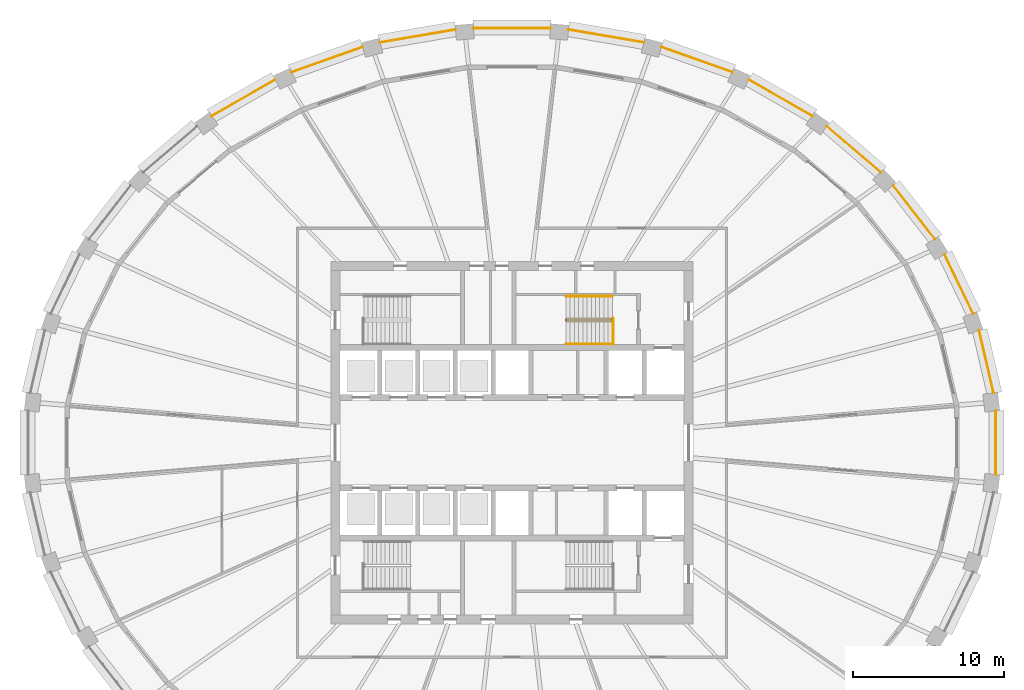
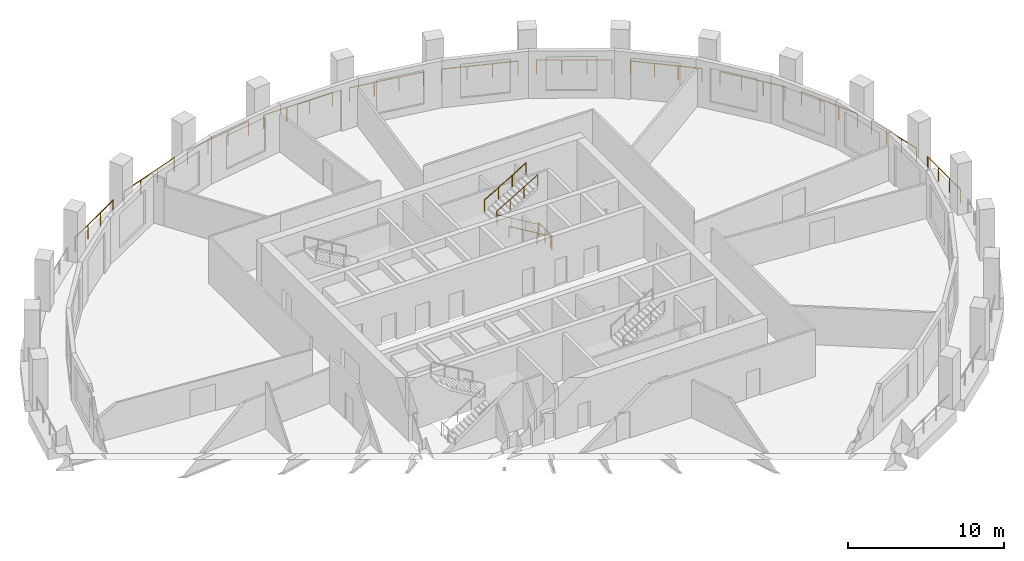
# One storey, part 9 of 10: 16 railings.
"""IFC4 building model written with IfcOpenShell, lengths in metres."""

from ifc_helpers import new_model, si_unit, direction, frame, origin, origin_2d, place, context, subcontext, project, spatial, circle, extrude, material, type_object, element, save


model = new_model("IFC4")

# Units and contexts
model_context = context("Model", 3, precision=1e-05, world=origin(), true_north=direction((0.0, 1.0)))
body_context = subcontext(model_context, "Body", "Model", "MODEL_VIEW")
ifc_project = project(units=[si_unit("LENGTHUNIT", "METRE"), si_unit("AREAUNIT", "SQUARE_METRE"), si_unit("VOLUMEUNIT", "CUBIC_METRE"), si_unit("PLANEANGLEUNIT", "RADIAN"), si_unit("MASSUNIT", "GRAM", prefix="KILO")], contexts=[model_context])

# Site, building, storey
site_placement = place(None, origin())
site = spatial("IfcSite", under=ifc_project, at=site_placement, CompositionType="ELEMENT")
building_placement = place(site_placement, origin())
building = spatial("IfcBuilding", under=site, at=building_placement, Name="Halqa Exchange Tower", CompositionType="ELEMENT")
storey_placement = place(building_placement, frame((0.0, 0.0, 210.89990234375)))
storey = spatial("IfcBuildingStorey", under=building, at=storey_placement, Name="L48", CompositionType="ELEMENT", Elevation=210.89990234375)

# Railings
ifc_material = material(Name="Stainless steel", Category="steel")
railing_type_1 = type_object("IfcRailingType", Name="Guard 1100 stainless steel", PredefinedType="GUARDRAIL", material=ifc_material)
railing_1_placement = place(storey_placement, frame((31.899169921875, 3.288818359375, 0.0)))
element("IfcRailing", 1, at=railing_1_placement, inside=storey, type_object=railing_type_1, Name="Loggia guard 1", PredefinedType="GUARDRAIL", context=body_context, shape_type="SweptSolid", body=[
    extrude(circle(Radius=0.02392578125, at=origin_2d()), frame((0.0, 0.0, 1.076171875), z_axis=(-0.226089761514, 0.974106472486, 0.0), x_axis=(-0.974106472486, -0.226089761514, 0.0)), (0.0, 0.0, 1.0), 4.245849609375),
    extrude(circle(Radius=0.02099609375, at=origin_2d()), origin(), (0.0, 0.0, 1.0), 1.052001953125),
    extrude(circle(Radius=0.02099609375, at=origin_2d()), frame((-0.320068359375, 1.378662109375, 0.0)), (0.0, 0.0, 1.0), 1.052001953125),
    extrude(circle(Radius=0.02099609375, at=origin_2d()), frame((-0.639892578125, 2.75732421875, 0.0)), (0.0, 0.0, 1.0), 1.052001953125),
    extrude(circle(Radius=0.02099609375, at=origin_2d()), frame((-0.9599609375, 4.135986328125, 0.0)), (0.0, 0.0, 1.0), 1.052001953125),
])
railing_2_placement = place(storey_placement, frame((30.54248046875, 8.549560546875, 0.0)))
element("IfcRailing", 2, at=railing_2_placement, inside=storey, type_object=railing_type_1, Name="Loggia guard 2", PredefinedType="GUARDRAIL", context=body_context, shape_type="SweptSolid", body=[
    extrude(circle(Radius=0.02392578125, at=origin_2d()), frame((0.0, 0.0, 1.076171875), z_axis=(-0.435072359018, 0.900395492225, 0.0), x_axis=(-0.900395492225, -0.435072359018, 0.0)), (0.0, 0.0, 1.0), 4.35009765625),
    extrude(circle(Radius=0.02099609375, at=origin_2d()), origin(), (0.0, 0.0, 1.0), 1.052001953125),
    extrude(circle(Radius=0.02099609375, at=origin_2d()), frame((-0.630859375, 1.3056640625, 0.0)), (0.0, 0.0, 1.0), 1.052001953125),
    extrude(circle(Radius=0.02099609375, at=origin_2d()), frame((-1.26171875, 2.611083984375, 0.0)), (0.0, 0.0, 1.0), 1.052001953125),
    extrude(circle(Radius=0.02099609375, at=origin_2d()), frame((-1.892578125, 3.916748046875, 0.0)), (0.0, 0.0, 1.0), 1.052001953125),
])
railing_3_placement = place(storey_placement, frame((28.02001953125, 13.4794921875, 0.0)))
element("IfcRailing", 3, at=railing_3_placement, inside=storey, type_object=railing_type_1, Name="Loggia guard 3", PredefinedType="GUARDRAIL", context=body_context, shape_type="SweptSolid", body=[
    extrude(circle(Radius=0.02392578125, at=origin_2d()), frame((0.0, 0.0, 1.076171875), z_axis=(-0.614792407737, 0.788688972529, 0.0), x_axis=(-0.788688972529, -0.614792407737, 0.0)), (0.0, 0.0, 1.0), 4.50244140625),
    extrude(circle(Radius=0.02099609375, at=origin_2d()), origin(), (0.0, 0.0, 1.0), 1.052001953125),
    extrude(circle(Radius=0.02099609375, at=origin_2d()), frame((-0.922607421875, 1.18359375, 0.0)), (0.0, 0.0, 1.0), 1.052001953125),
    extrude(circle(Radius=0.02099609375, at=origin_2d()), frame((-1.845458984375, 2.367431640625, 0.0)), (0.0, 0.0, 1.0), 1.052001953125),
    extrude(circle(Radius=0.02099609375, at=origin_2d()), frame((-2.76806640625, 3.551025390625, 0.0)), (0.0, 0.0, 1.0), 1.052001953125),
])
railing_4_placement = place(storey_placement, frame((24.427490234375, 17.89404296875, 0.0)))
element("IfcRailing", 4, at=railing_4_placement, inside=storey, type_object=railing_type_1, Name="Loggia guard 4", PredefinedType="GUARDRAIL", context=body_context, shape_type="SweptSolid", body=[
    extrude(circle(Radius=0.02392578125, at=origin_2d()), frame((0.0, 0.0, 1.076171875), z_axis=(-0.759260287114, 0.650787074558, 0.0), x_axis=(-0.650787074558, -0.759260287114, 0.0)), (0.0, 0.0, 1.0), 4.677001953125),
    extrude(circle(Radius=0.02099609375, at=origin_2d()), origin(), (0.0, 0.0, 1.0), 1.052001953125),
    extrude(circle(Radius=0.02099609375, at=origin_2d()), frame((-1.18359375, 1.0146484375, 0.0)), (0.0, 0.0, 1.0), 1.052001953125),
    extrude(circle(Radius=0.02099609375, at=origin_2d()), frame((-2.367431640625, 2.029052734375, 0.0)), (0.0, 0.0, 1.0), 1.052001953125),
    extrude(circle(Radius=0.02099609375, at=origin_2d()), frame((-3.551025390625, 3.043701171875, 0.0)), (0.0, 0.0, 1.0), 1.052001953125),
])
railing_5_placement = place(storey_placement, frame((19.900390625, 21.62646484375, 0.0)))
element("IfcRailing", 5, at=railing_5_placement, inside=storey, type_object=railing_type_1, Name="Loggia guard 5", PredefinedType="GUARDRAIL", context=body_context, shape_type="SweptSolid", body=[
    extrude(circle(Radius=0.02392578125, at=origin_2d()), frame((0.0, 0.0, 1.076171875), z_axis=(-0.867774647635, 0.49695790659, 0.0), x_axis=(-0.49695790659, -0.867774647635, 0.0)), (0.0, 0.0, 1.0), 4.846435546875),
    extrude(circle(Radius=0.02099609375, at=origin_2d()), origin(), (0.0, 0.0, 1.0), 1.052001953125),
    extrude(circle(Radius=0.02099609375, at=origin_2d()), frame((-1.40185546875, 0.802734375, 0.0)), (0.0, 0.0, 1.0), 1.052001953125),
    extrude(circle(Radius=0.02099609375, at=origin_2d()), frame((-2.8037109375, 1.605712890625, 0.0)), (0.0, 0.0, 1.0), 1.052001953125),
    extrude(circle(Radius=0.02099609375, at=origin_2d()), frame((-4.20556640625, 2.408447265625, 0.0)), (0.0, 0.0, 1.0), 1.052001953125),
])
railing_6_placement = place(storey_placement, frame((14.608642578125, 24.533935546875, 0.0)))
element("IfcRailing", 6, at=railing_6_placement, inside=storey, type_object=railing_type_1, Name="Loggia guard 6", PredefinedType="GUARDRAIL", context=body_context, shape_type="SweptSolid", body=[
    extrude(circle(Radius=0.02392578125, at=origin_2d()), frame((0.0, 0.0, 1.076171875), z_axis=(-0.942359532922, 0.334602018392, 0.0), x_axis=(-0.334602018392, -0.942359532922, 0.0)), (0.0, 0.0, 1.0), 4.986328125),
    extrude(circle(Radius=0.02099609375, at=origin_2d()), origin(), (0.0, 0.0, 1.0), 1.052001953125),
    extrude(circle(Radius=0.02099609375, at=origin_2d()), frame((-1.56640625, 0.55615234375, 0.0)), (0.0, 0.0, 1.0), 1.052001953125),
    extrude(circle(Radius=0.02099609375, at=origin_2d()), frame((-3.132568359375, 1.1123046875, 0.0)), (0.0, 0.0, 1.0), 1.052001953125),
    extrude(circle(Radius=0.02099609375, at=origin_2d()), frame((-4.698974609375, 1.66845703125, 0.0)), (0.0, 0.0, 1.0), 1.052001953125),
])
railing_7_placement = place(storey_placement, frame((8.752685546875, 26.50390625, 0.0)))
element("IfcRailing", 7, at=railing_7_placement, inside=storey, type_object=railing_type_1, Name="Loggia guard 7", PredefinedType="GUARDRAIL", context=body_context, shape_type="SweptSolid", body=[
    extrude(circle(Radius=0.02392578125, at=origin_2d()), frame((0.0, 0.0, 1.076171875), z_axis=(-0.985775109428, 0.168069728484, 0.0), x_axis=(-0.168069728484, -0.985775109428, 0.0)), (0.0, 0.0, 1.0), 5.078369140625),
    extrude(circle(Radius=0.02099609375, at=origin_2d()), origin(), (0.0, 0.0, 1.0), 1.052001953125),
    extrude(circle(Radius=0.02099609375, at=origin_2d()), frame((-1.668701171875, 0.284423828125, 0.0)), (0.0, 0.0, 1.0), 1.052001953125),
    extrude(circle(Radius=0.02099609375, at=origin_2d()), frame((-3.33740234375, 0.569091796875, 0.0)), (0.0, 0.0, 1.0), 1.052001953125),
    extrude(circle(Radius=0.02099609375, at=origin_2d()), frame((-5.006103515625, 0.853515625, 0.0)), (0.0, 0.0, 1.0), 1.052001953125),
])
railing_8_placement = place(storey_placement, frame((2.55517578125, 27.458251953125, 0.0)))
element("IfcRailing", 8, at=railing_8_placement, inside=storey, type_object=railing_type_1, Name="Loggia guard 8", PredefinedType="GUARDRAIL", context=body_context, shape_type="SweptSolid", body=[
    extrude(circle(Radius=0.02392578125, at=origin_2d()), frame((0.0, 0.0, 1.076171875), z_axis=(-1.0, 0.0, 0.0), x_axis=(0.0, -1.0, 0.0)), (0.0, 0.0, 1.0), 5.1103515625),
    extrude(circle(Radius=0.02099609375, at=origin_2d()), origin(), (0.0, 0.0, 1.0), 1.052001953125),
    extrude(circle(Radius=0.02099609375, at=origin_2d()), frame((-1.703369140625, 0.0, 0.0)), (0.0, 0.0, 1.0), 1.052001953125),
    extrude(circle(Radius=0.02099609375, at=origin_2d()), frame((-3.406982421875, 0.0, 0.0)), (0.0, 0.0, 1.0), 1.052001953125),
    extrude(circle(Radius=0.02099609375, at=origin_2d()), frame((-5.1103515625, 0.0, 0.0)), (0.0, 0.0, 1.0), 1.052001953125),
])
railing_9_placement = place(storey_placement, frame((-3.74658203125, 27.357421875, 0.0)))
element("IfcRailing", 9, at=railing_9_placement, inside=storey, type_object=railing_type_1, Name="Loggia guard 9", PredefinedType="GUARDRAIL", context=body_context, shape_type="SweptSolid", body=[
    extrude(circle(Radius=0.02392578125, at=origin_2d()), frame((0.0, 0.0, 1.076171875), z_axis=(-0.985775109428, -0.168069728484, 0.0), x_axis=(0.168069728484, -0.985775109428, 0.0)), (0.0, 0.0, 1.0), 5.078369140625),
    extrude(circle(Radius=0.02099609375, at=origin_2d()), origin(), (0.0, 0.0, 1.0), 1.052001953125),
    extrude(circle(Radius=0.02099609375, at=origin_2d()), frame((-1.668701171875, -0.284423828125, 0.0)), (0.0, 0.0, 1.0), 1.052001953125),
    extrude(circle(Radius=0.02099609375, at=origin_2d()), frame((-3.33740234375, -0.569091796875, 0.0)), (0.0, 0.0, 1.0), 1.052001953125),
    extrude(circle(Radius=0.02099609375, at=origin_2d()), frame((-5.006103515625, -0.853515625, 0.0)), (0.0, 0.0, 1.0), 1.052001953125),
])
railing_10_placement = place(storey_placement, frame((-9.90966796875, 26.202392578125, 0.0)))
element("IfcRailing", 10, at=railing_10_placement, inside=storey, type_object=railing_type_1, Name="Loggia guard 10", PredefinedType="GUARDRAIL", context=body_context, shape_type="SweptSolid", body=[
    extrude(circle(Radius=0.02392578125, at=origin_2d()), frame((0.0, 0.0, 1.076171875), z_axis=(-0.942359532922, -0.334602018392, 0.0), x_axis=(0.334602018392, -0.942359532922, 0.0)), (0.0, 0.0, 1.0), 4.986328125),
    extrude(circle(Radius=0.02099609375, at=origin_2d()), origin(), (0.0, 0.0, 1.0), 1.052001953125),
    extrude(circle(Radius=0.02099609375, at=origin_2d()), frame((-1.56640625, -0.55615234375, 0.0)), (0.0, 0.0, 1.0), 1.052001953125),
    extrude(circle(Radius=0.02099609375, at=origin_2d()), frame((-3.132568359375, -1.1123046875, 0.0)), (0.0, 0.0, 1.0), 1.052001953125),
    extrude(circle(Radius=0.02099609375, at=origin_2d()), frame((-4.698974609375, -1.66845703125, 0.0)), (0.0, 0.0, 1.0), 1.052001953125),
])
railing_11_placement = place(storey_placement, frame((-15.69482421875, 24.034912109375, 0.0)))
element("IfcRailing", 11, at=railing_11_placement, inside=storey, type_object=railing_type_1, Name="Loggia guard 11", PredefinedType="GUARDRAIL", context=body_context, shape_type="SweptSolid", body=[
    extrude(circle(Radius=0.02392578125, at=origin_2d()), frame((0.0, 0.0, 1.076171875), z_axis=(-0.867774647635, -0.49695790659, 0.0), x_axis=(0.49695790659, -0.867774647635, 0.0)), (0.0, 0.0, 1.0), 4.846435546875),
    extrude(circle(Radius=0.02099609375, at=origin_2d()), origin(), (0.0, 0.0, 1.0), 1.052001953125),
    extrude(circle(Radius=0.02099609375, at=origin_2d()), frame((-1.40185546875, -0.802734375, 0.0)), (0.0, 0.0, 1.0), 1.052001953125),
    extrude(circle(Radius=0.02099609375, at=origin_2d()), frame((-2.8037109375, -1.605712890625, 0.0)), (0.0, 0.0, 1.0), 1.052001953125),
    extrude(circle(Radius=0.02099609375, at=origin_2d()), frame((-4.20556640625, -2.408447265625, 0.0)), (0.0, 0.0, 1.0), 1.052001953125),
])
railing_12_placement = place(storey_placement, frame((32.034912109375, -2.1044921875, 0.0)))
element("IfcRailing", 12, at=railing_12_placement, inside=storey, type_object=railing_type_1, Name="Loggia guard 32", PredefinedType="GUARDRAIL", context=body_context, shape_type="SweptSolid", body=[
    extrude(circle(Radius=0.02392578125, at=origin_2d()), frame((0.0, 0.0, 1.076171875), z_axis=(0.0, 1.0, 0.0), x_axis=(-1.0, 0.0, 0.0)), (0.0, 0.0, 1.0), 4.208984375),
    extrude(circle(Radius=0.02099609375, at=origin_2d()), origin(), (0.0, 0.0, 1.0), 1.052001953125),
    extrude(circle(Radius=0.02099609375, at=origin_2d()), frame((0.0, 1.403076171875, 0.0)), (0.0, 0.0, 1.0), 1.052001953125),
    extrude(circle(Radius=0.02099609375, at=origin_2d()), frame((0.0, 2.805908203125, 0.0)), (0.0, 0.0, 1.0), 1.052001953125),
    extrude(circle(Radius=0.02099609375, at=origin_2d()), frame((0.0, 4.208984375, 0.0)), (0.0, 0.0, 1.0), 1.052001953125),
])
railing_type_2 = type_object("IfcRailingType", Name="Stair handrail 900", PredefinedType="HANDRAIL", material=ifc_material)
railing_13_placement = place(storey_placement, frame((6.64990234375, 8.06005859375, 0.166748046875)))
element("IfcRailing", 13, at=railing_13_placement, inside=storey, type_object=railing_type_2, Name="Handrail ST2.1", PredefinedType="HANDRAIL", context=body_context, shape_type="SweptSolid", body=[
    extrude(circle(Radius=0.02392578125, at=origin_2d()), frame((0.0, 0.0, 0.8759765625), z_axis=(-0.859290745958, 0.0, 0.51148745235), x_axis=(0.0, -1.0, 0.0)), (0.0, 0.0, 1.0), 3.584228515625),
    extrude(circle(Radius=0.02392578125, at=origin_2d()), frame((-3.079833984375, 0.0, 2.708984375), z_axis=(0.0, 0.614500226555, 0.788916644243), x_axis=(-1.0, 0.0, 0.0)), (0.0, 0.0, 1.0), 0.21142578125),
    extrude(circle(Radius=0.02392578125, at=origin_2d()), frame((-3.079833984375, 0.1298828125, 2.8759765625), z_axis=(0.859290745958, 0.0, 0.51148745235), x_axis=(0.0, 1.0, 0.0)), (0.0, 0.0, 1.0), 3.584228515625),
    extrude(circle(Radius=0.02099609375, at=origin_2d()), origin(), (0.0, 0.0, 1.0), 0.851806640625),
    extrude(circle(Radius=0.02099609375, at=origin_2d()), frame((-1.026611328125, 0.0, 0.611083984375)), (0.0, 0.0, 1.0), 0.851806640625),
    extrude(circle(Radius=0.02099609375, at=origin_2d()), frame((-2.05322265625, 0.0, 1.22216796875)), (0.0, 0.0, 1.0), 0.851806640625),
    extrude(circle(Radius=0.02099609375, at=origin_2d()), frame((-3.079833984375, 0.0, 1.833251953125)), (0.0, 0.0, 1.0), 0.851806640625),
    extrude(circle(Radius=0.02099609375, at=origin_2d()), frame((-3.079833984375, 0.1298828125, 2.0)), (0.0, 0.0, 1.0), 0.851806640625),
    extrude(circle(Radius=0.02099609375, at=origin_2d()), frame((-2.05322265625, 0.1298828125, 2.611083984375)), (0.0, 0.0, 1.0), 0.851806640625),
    extrude(circle(Radius=0.02099609375, at=origin_2d()), frame((-1.026611328125, 0.1298828125, 3.22216796875)), (0.0, 0.0, 1.0), 0.851806640625),
    extrude(circle(Radius=0.02099609375, at=origin_2d()), frame((0.0, 0.1298828125, 3.833251953125)), (0.0, 0.0, 1.0), 0.851806640625),
])
railing_14_placement = place(storey_placement, frame((6.64990234375, 6.550048828125, 0.166748046875)))
element("IfcRailing", 14, at=railing_14_placement, inside=storey, type_object=railing_type_2, Name="Handrail ST2.2", PredefinedType="HANDRAIL", context=body_context, shape_type="SweptSolid", body=[
    extrude(circle(Radius=0.02392578125, at=origin_2d()), frame((0.0, 0.0, 0.8759765625), z_axis=(-0.859290745958, 0.0, 0.51148745235), x_axis=(0.0, -1.0, 0.0)), (0.0, 0.0, 1.0), 3.584228515625),
    extrude(circle(Radius=0.02099609375, at=origin_2d()), origin(), (0.0, 0.0, 1.0), 0.851806640625),
    extrude(circle(Radius=0.02099609375, at=origin_2d()), frame((-1.026611328125, 0.0, 0.611083984375)), (0.0, 0.0, 1.0), 0.851806640625),
    extrude(circle(Radius=0.02099609375, at=origin_2d()), frame((-2.05322265625, 0.0, 1.22216796875)), (0.0, 0.0, 1.0), 0.851806640625),
    extrude(circle(Radius=0.02099609375, at=origin_2d()), frame((-3.079833984375, 0.0, 1.833251953125)), (0.0, 0.0, 1.0), 0.851806640625),
])
railing_15_placement = place(storey_placement, frame((3.570068359375, 9.699951171875, 2.166748046875)))
element("IfcRailing", 15, at=railing_15_placement, inside=storey, type_object=railing_type_2, Name="Handrail ST2.3", PredefinedType="HANDRAIL", context=body_context, shape_type="SweptSolid", body=[
    extrude(circle(Radius=0.02392578125, at=origin_2d()), frame((0.0, 0.0, 0.8759765625), z_axis=(0.859290745958, 0.0, 0.51148745235), x_axis=(0.0, 1.0, 0.0)), (0.0, 0.0, 1.0), 3.584228515625),
    extrude(circle(Radius=0.02099609375, at=origin_2d()), origin(), (0.0, 0.0, 1.0), 0.851806640625),
    extrude(circle(Radius=0.02099609375, at=origin_2d()), frame((1.026611328125, 0.0, 0.611083984375)), (0.0, 0.0, 1.0), 0.851806640625),
    extrude(circle(Radius=0.02099609375, at=origin_2d()), frame((2.05322265625, 0.0, 1.22216796875)), (0.0, 0.0, 1.0), 0.851806640625),
    extrude(circle(Radius=0.02099609375, at=origin_2d()), frame((3.079833984375, 0.0, 1.833251953125)), (0.0, 0.0, 1.0), 0.851806640625),
])
railing_type_3 = type_object("IfcRailingType", Name="Stair well guard 1100", PredefinedType="GUARDRAIL", material=ifc_material)
railing_16_placement = place(storey_placement, frame((6.699951171875, 6.5, 0.0)))
element("IfcRailing", 16, at=railing_16_placement, inside=storey, type_object=railing_type_3, Name="Guard ST2 well", PredefinedType="GUARDRAIL", context=body_context, shape_type="SweptSolid", body=[
    extrude(circle(Radius=0.02392578125, at=origin_2d()), frame((0.0, 0.0, 1.076171875), z_axis=(0.0, 1.0, 0.0), x_axis=(-1.0, 0.0, 0.0)), (0.0, 0.0, 1.0), 1.75),
    extrude(circle(Radius=0.02099609375, at=origin_2d()), origin(), (0.0, 0.0, 1.0), 1.052001953125),
    extrude(circle(Radius=0.02099609375, at=origin_2d()), frame((0.0, 0.875, 0.0)), (0.0, 0.0, 1.0), 1.052001953125),
    extrude(circle(Radius=0.02099609375, at=origin_2d()), frame((0.0, 1.75, 0.0)), (0.0, 0.0, 1.0), 1.052001953125),
])

save(model, "model.ifc")
